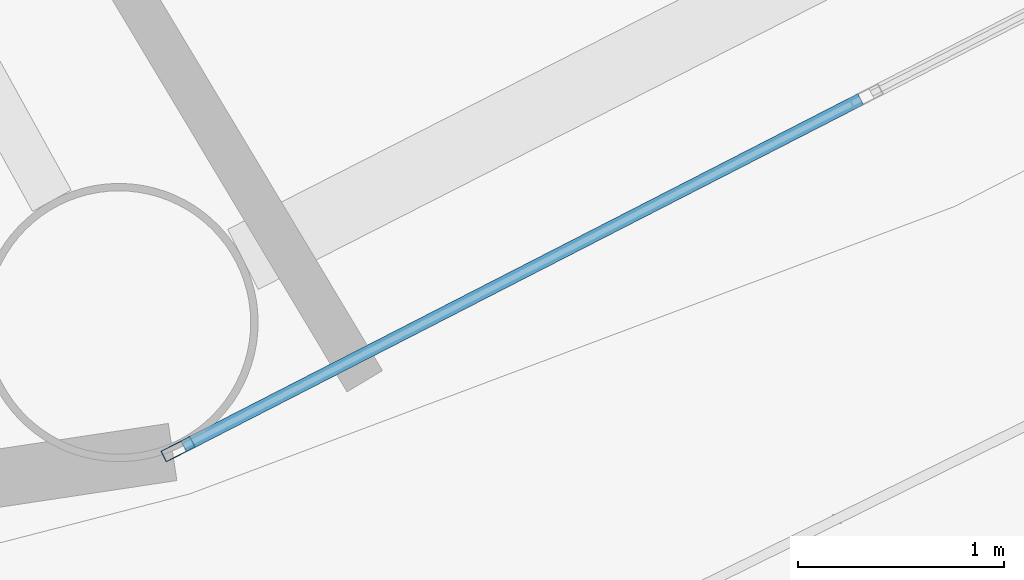
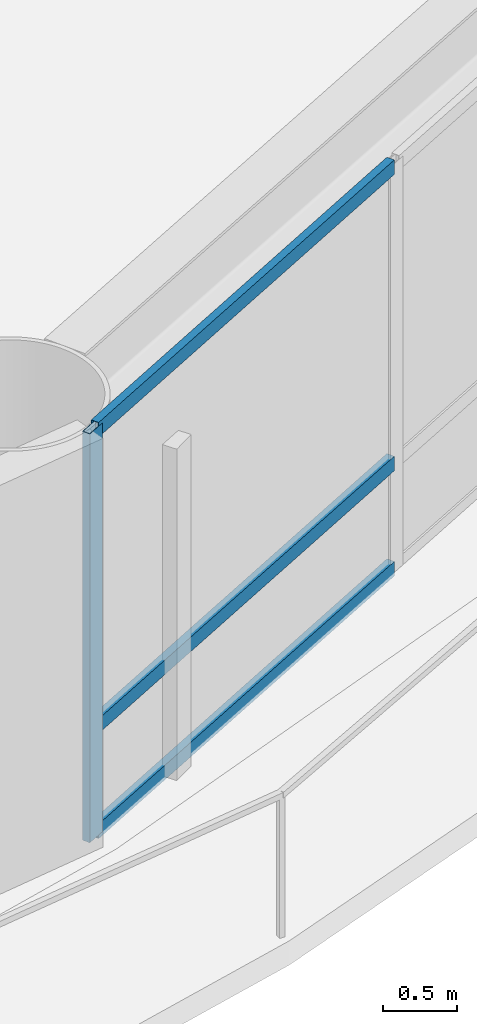
# One storey, part 6 of 26: 4 members, 1 element without a shape of its own.
"""IFC4 building model written with IfcOpenShell, lengths in metres."""

from ifc_helpers import new_model, si_unit, direction, frame, origin, origin_2d, place, context, subcontext, project, spatial, hollow_rectangle, extrude, material, layer, layer_set, material_profile, profile_set, type_object, element, aggregate, save


model = new_model("IFC4")

# Units and contexts
model_context = context("Model", 3, precision=1e-05, world=origin(), true_north=direction((0.0, 1.0)))
body_context = subcontext(model_context, "Body", "Model", "MODEL_VIEW")
ifc_project = project(units=[si_unit("LENGTHUNIT", "METRE"), si_unit("AREAUNIT", "SQUARE_METRE"), si_unit("VOLUMEUNIT", "CUBIC_METRE"), si_unit("PLANEANGLEUNIT", "RADIAN"), si_unit("MASSUNIT", "GRAM", prefix="KILO")], contexts=[model_context])

# Site, building, storey
site_placement = place(None, origin())
site = spatial("IfcSite", under=ifc_project, at=site_placement, CompositionType="ELEMENT")
building_placement = place(site_placement, origin())
building = spatial("IfcBuilding", under=site, at=building_placement, Name="Sarneth Arch Tower", CompositionType="ELEMENT")
storey_placement = place(building_placement, frame((0.0, 0.0, 53.39990234375)))
storey = spatial("IfcBuildingStorey", under=building, at=storey_placement, Name="L12", CompositionType="ELEMENT", Elevation=53.39990234375)

# Curtain wall, members
ifc_material_1 = material(Name="Anodised aluminium Type AA25 and solar-control low-e laminated IGU", Category="aluminium")
ifc_layer = layer(ifc_material_1, 0.159912109375)
ifc_layer_set = layer_set([ifc_layer], Name="Anodised aluminium Type AA25 and solar-control low-e laminated IGU")
curtain_wall_type = type_object("IfcCurtainWallType", Name="CW-HOTEL-LOW", PredefinedType="NOTDEFINED", material=ifc_layer_set)
curtain_wall_placement = place(storey_placement, origin())
curtain_wall = element("IfcCurtainWall", 1, at=curtain_wall_placement, inside=storey, type_object=curtain_wall_type, Name="L12 Unitised curtain wall facet 14", PredefinedType="NOTDEFINED")
ifc_material_2 = material(Name="Anodised Aluminium 6063-T6", Category="aluminium")
ifc_material_profile_1 = material_profile(ifc_material_2, hollow_rectangle(XDim=0.06005859375, YDim=0.159912109375, WallThickness=0.00390625, at=origin_2d()), Name="AL-MULL-160x60x4")
ifc_profile_set_1 = profile_set([ifc_material_profile_1], Name="Anodised Aluminium 6063-T6")
member_type_1 = type_object("IfcMemberType", Name="CW-MULLION", PredefinedType="MULLION", material=ifc_profile_set_1)
member_1_placement = place(storey_placement, frame((60.1044921875, 19.951416015625, 0.0), z_axis=(0.0, 0.0, 1.0), x_axis=(-0.456245197127, 0.889854100456, 0.0)))
member_1 = element("IfcMember", 2, at=member_1_placement, type_object=member_type_1, Name="CW-SYS-3 mullion 1", PredefinedType="MULLION", context=body_context, shape_type="SweptSolid", body=[
    extrude(hollow_rectangle(XDim=0.06005859375, YDim=0.159912109375, WallThickness=0.00390625, at=origin_2d()), origin(), (0.0, 0.0, 1.0), 3.380126953125),
])
ifc_material_3 = material(Name="Anodised Aluminium 6063-T6", Category="aluminium")
ifc_material_profile_2 = material_profile(ifc_material_3, hollow_rectangle(XDim=0.06005859375, YDim=0.1201171875, WallThickness=0.00390625, at=origin_2d()), Name="AL-TRAN-120x60x4")
ifc_profile_set_2 = profile_set([ifc_material_profile_2], Name="Anodised Aluminium 6063-T6")
member_type_2 = type_object("IfcMemberType", Name="CW-TRANSOM", PredefinedType="USERDEFINED", material=ifc_profile_set_2)
member_2_placement = place(storey_placement, frame((60.13134765625, 19.965087890625, 0.030029296875), z_axis=(0.889831232102, 0.456289796485, 0.0), x_axis=(-0.456289796485, 0.889831232102, 0.0)))
member_2 = element("IfcMember", 3, at=member_2_placement, type_object=member_type_2, Name="CW-SYS-3 transom 1.1", ObjectType="TRANSOM", PredefinedType="USERDEFINED", context=body_context, shape_type="SweptSolid", body=[
    extrude(hollow_rectangle(XDim=0.06005859375, YDim=0.1201171875, WallThickness=0.00390625, at=origin_2d()), origin(), (0.0, 0.0, 1.0), 3.69189453125),
])
member_3_placement = place(storey_placement, frame((60.13134765625, 19.965087890625, 0.900146484375), z_axis=(0.889831232102, 0.456289796485, 0.0), x_axis=(-0.456289796485, 0.889831232102, 0.0)))
member_3 = element("IfcMember", 4, at=member_3_placement, type_object=member_type_2, Name="CW-SYS-3 transom 1.2", ObjectType="TRANSOM", PredefinedType="USERDEFINED", context=body_context, shape_type="SweptSolid", body=[
    extrude(hollow_rectangle(XDim=0.06005859375, YDim=0.1201171875, WallThickness=0.00390625, at=origin_2d()), origin(), (0.0, 0.0, 1.0), 3.69189453125),
])
member_4_placement = place(storey_placement, frame((60.13134765625, 19.965087890625, 3.35009765625), z_axis=(0.889831232102, 0.456289796485, 0.0), x_axis=(-0.456289796485, 0.889831232102, 0.0)))
member_4 = element("IfcMember", 5, at=member_4_placement, type_object=member_type_2, Name="CW-SYS-3 transom 1.3", ObjectType="TRANSOM", PredefinedType="USERDEFINED", context=body_context, shape_type="SweptSolid", body=[
    extrude(hollow_rectangle(XDim=0.06005859375, YDim=0.1201171875, WallThickness=0.00390625, at=origin_2d()), origin(), (0.0, 0.0, 1.0), 3.69189453125),
])
aggregate(curtain_wall, [member_1, member_2, member_3, member_4])

save(model, "model.ifc")
